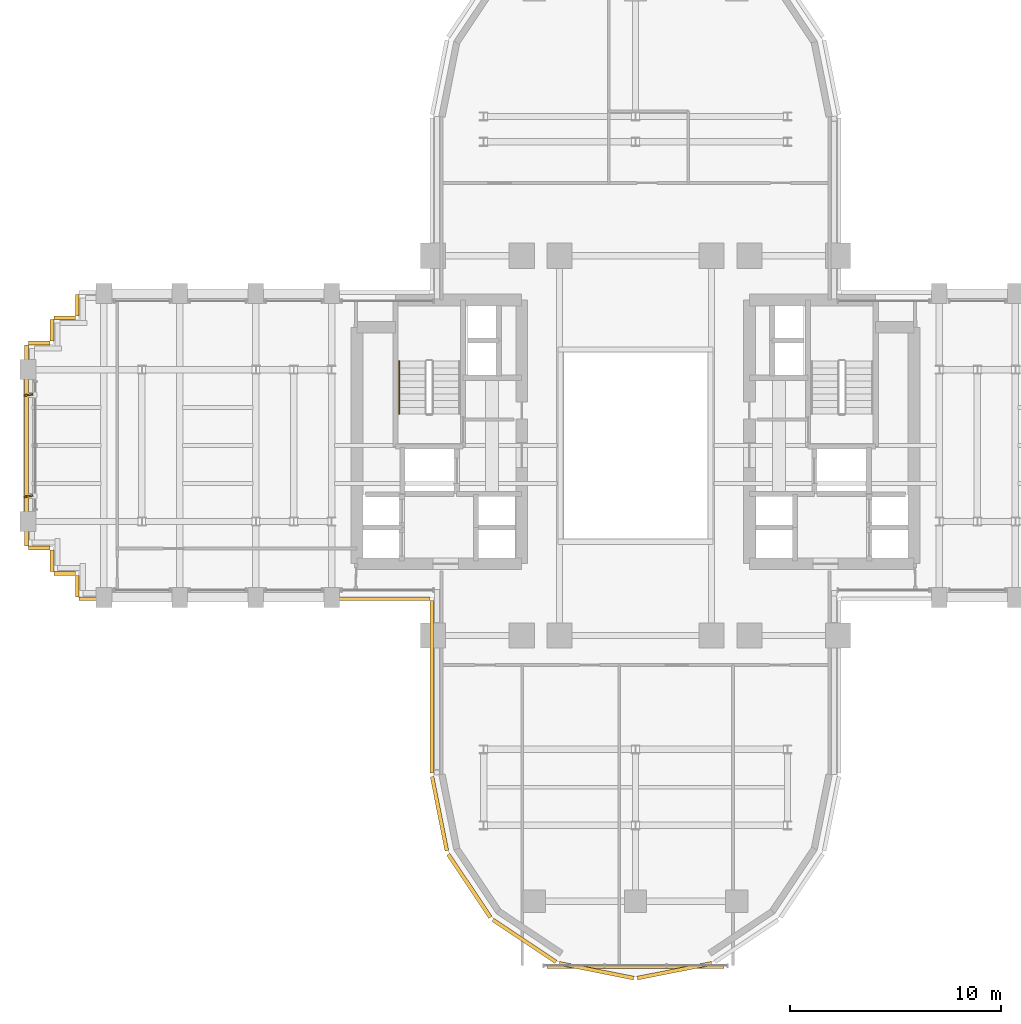
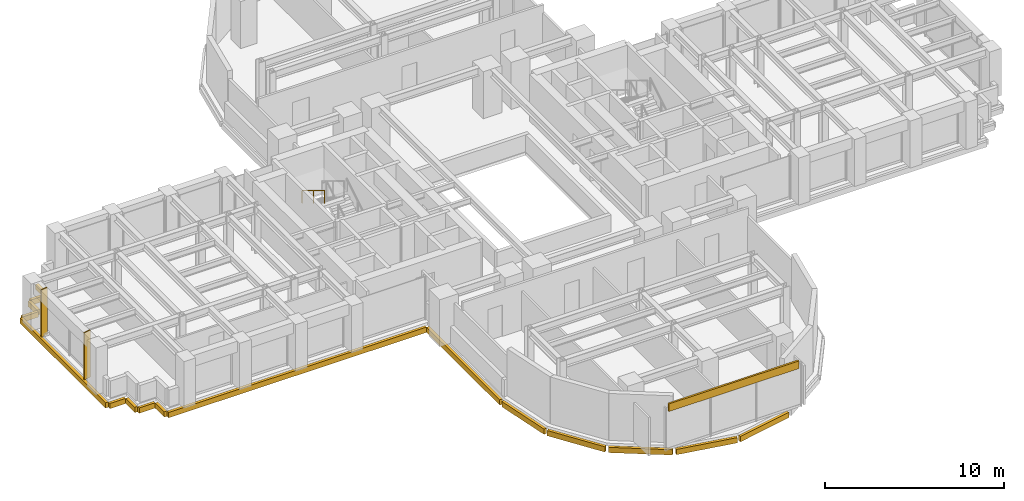
# One storey, part 13 of 16: 17 coverings, 2 shading devices, 1 railing.
"""IFC4 building model written with IfcOpenShell, lengths in metres."""

from ifc_helpers import new_model, si_unit, direction, frame, origin, origin_2d, place, context, subcontext, project, spatial, rectangle, extrude, source, transform, mapped, material, layer, layer_set, type_object, element, save


model = new_model("IFC4")

# Units and contexts
model_context = context("Model", 3, precision=1e-05, world=origin(), true_north=direction((0.0, 1.0)))
body_context = subcontext(model_context, "Body", "Model", "MODEL_VIEW")
ifc_project = project(units=[si_unit("LENGTHUNIT", "METRE"), si_unit("AREAUNIT", "SQUARE_METRE"), si_unit("VOLUMEUNIT", "CUBIC_METRE"), si_unit("PLANEANGLEUNIT", "RADIAN"), si_unit("MASSUNIT", "GRAM", prefix="KILO")], contexts=[model_context])

# Site, building, storey
site_placement = place(None, origin())
site = spatial("IfcSite", under=ifc_project, at=site_placement, CompositionType="ELEMENT")
building_placement = place(site_placement, origin())
building = spatial("IfcBuilding", under=site, at=building_placement, Name="Keilestroom Media Tower", CompositionType="ELEMENT")
storey_placement = place(building_placement, frame((0.0, 0.0, 78.199951171875)))
storey = spatial("IfcBuildingStorey", under=building, at=storey_placement, Name="L20", CompositionType="ELEMENT", Elevation=78.199951171875)

# Railing
ifc_material_1 = material(Name="Brushed Stainless Steel 1.4301", Category="steel")
railing_type = type_object("IfcRailingType", Name="Stair-Pitch-Handrail-920", PredefinedType="HANDRAIL", material=ifc_material_1)
railing_placement = place(storey_placement, frame((-11.2099609375, 3.99609375, 1.888916015625)))
element("IfcRailing", 1, at=railing_placement, inside=storey, type_object=railing_type, Name="L20 ST-1 stair handrail 2", PredefinedType="HANDRAIL", context=body_context, shape_type="SweptSolid", body=[
    extrude(rectangle(XDim=0.048095703125, YDim=0.048095703125, at=origin_2d()), frame((0.0, 0.0, 0.8759765625), z_axis=(0.0, -0.855433747314, 0.517912255074), x_axis=(1.0, 0.0, 0.0)), (0.0, 0.0, 1.0), 2.91796875),
    extrude(rectangle(XDim=0.0419921875, YDim=0.0419921875, at=origin_2d()), origin(), (0.0, 0.0, 1.0), 0.84375),
    extrude(rectangle(XDim=0.0419921875, YDim=0.0419921875, at=origin_2d()), frame((0.0, -1.248046875, 0.755615234375)), (0.0, 0.0, 1.0), 0.84375),
    extrude(rectangle(XDim=0.0419921875, YDim=0.0419921875, at=origin_2d()), frame((0.0, -2.49609375, 1.51123046875)), (0.0, 0.0, 1.0), 0.84375),
])

# Covering
ifc_material_2 = material(Name="Precast concrete C40/50", Category="concrete")
ifc_layer = layer(ifc_material_2, 0.1201171875)
ifc_layer_set = layer_set([ifc_layer], Name="Precast concrete C40/50")
covering_type = type_object("IfcCoveringType", Name="Exterior-Precast-Spandrel-Cladding-Panel-120", PredefinedType="CLADDING", material=ifc_layer_set)
shared_shape_1 = source(origin(), body_context, "Body", "SweptSolid", [
    extrude(rectangle(XDim=8.39990234375, YDim=0.1201171875, at=origin_2d()), origin(), (0.0, 0.0, 1.0), 0.52001953125),
])
covering_1_placement = place(storey_placement, frame((0.0, -24.719970703125, 2.68994140625), z_axis=(0.0, 0.0, 1.0), x_axis=(1.0, 0.0, 0.0)))
element("IfcCovering", 2, at=covering_1_placement, inside=storey, type_object=covering_type, Name="L20 Precast Spandrel Cladding S", PredefinedType="CLADDING", context=body_context, shape_type="MappedRepresentation", body=[
    mapped(shared_shape_1, transform((0.0, 0.0, 0.0), x_axis=(1.0, 0.0, 0.0), y_axis=(0.0, 1.0, 0.0), z_axis=(0.0, 0.0, 1.0), scale=1.0)),
])

# Shading devices
ifc_material_3 = material(Name="Bronze Anodised Aluminium", Category="aluminium")
shading_device_type = type_object("IfcShadingDeviceType", Name="Facade-Vertical-Sunshade-Fin-SHD-1", PredefinedType="USERDEFINED", material=ifc_material_3)
shared_shape_2 = source(origin(), body_context, "Body", "SweptSolid", [
    extrude(rectangle(XDim=0.419921875, YDim=0.080078125, at=origin_2d()), origin(), (0.0, 0.0, 1.0), 3.199951171875),
])
for number, where, z_axis, x_axis, name in (
    (3, (-28.77001953125, -2.39990234375, 0.0), (0.0, 0.0, 1.0), (0.988040736507, 0.15419307054, 0.0), "L20 Twisting Sunshade Fin SHD-1 025"),
    (4, (-28.77001953125, 2.39990234375, 0.0), (0.0, 0.0, 1.0), (0.988040736507, 0.15419307054, 0.0), "L20 Twisting Sunshade Fin SHD-1 026"),
):
    element("IfcShadingDevice", number, at=place(storey_placement, frame(where, z_axis=z_axis, x_axis=x_axis)), inside=storey, type_object=shading_device_type, Name=name, ObjectType="SUNSHADE", PredefinedType="USERDEFINED", context=body_context, shape_type="MappedRepresentation", body=[
        mapped(shared_shape_2, transform((0.0, 0.0, 0.0), x_axis=(1.0, 0.0, 0.0), y_axis=(0.0, 1.0, 0.0), z_axis=(0.0, 0.0, 1.0), scale=1.0)),
    ])

# Coverings
shared_shape_3 = source(origin(), body_context, "Body", "SweptSolid", [
    extrude(rectangle(XDim=1.02001953125, YDim=0.179931640625, at=origin_2d()), origin(), (0.0, 0.0, 1.0), 0.360107421875),
])
for number, where, z_axis, x_axis, name in (
    (5, (-26.4599609375, -6.659912109375, -0.5400390625), (0.0, 0.0, 1.0), (0.0, 1.0, 0.0), "L20 Precast Slab-Edge Fascia Cornice 17"),
    (6, (-27.06005859375, -6.06005859375, -0.5400390625), (0.0, 0.0, 1.0), (-1.0, 0.0, 0.0), "L20 Precast Slab-Edge Fascia Cornice 18"),
    (7, (-27.659912109375, -5.4599609375, -0.5400390625), (0.0, 0.0, 1.0), (0.0, 1.0, 0.0), "L20 Precast Slab-Edge Fascia Cornice 19"),
    (8, (-28.260009765625, -4.860107421875, -0.5400390625), (0.0, 0.0, 1.0), (-1.0, 0.0, 0.0), "L20 Precast Slab-Edge Fascia Cornice 20"),
    (9, (-28.260009765625, 4.860107421875, -0.5400390625), (0.0, 0.0, 1.0), (1.0, 0.0, 0.0), "L20 Precast Slab-Edge Fascia Cornice 22"),
    (10, (-27.659912109375, 5.4599609375, -0.5400390625), (0.0, 0.0, 1.0), (0.0, 1.0, 0.0), "L20 Precast Slab-Edge Fascia Cornice 23"),
    (11, (-27.06005859375, 6.06005859375, -0.5400390625), (0.0, 0.0, 1.0), (1.0, 0.0, 0.0), "L20 Precast Slab-Edge Fascia Cornice 24"),
    (12, (-26.4599609375, 6.659912109375, -0.5400390625), (0.0, 0.0, 1.0), (0.0, 1.0, 0.0), "L20 Precast Slab-Edge Fascia Cornice 25"),
):
    element("IfcCovering", number, at=place(storey_placement, frame(where, z_axis=z_axis, x_axis=x_axis)), inside=storey, type_object=covering_type, Name=name, PredefinedType="CLADDING", context=body_context, shape_type="MappedRepresentation", body=[
        mapped(shared_shape_3, transform((0.0, 0.0, 0.0), x_axis=(1.0, 0.0, 0.0), y_axis=(0.0, 1.0, 0.0), z_axis=(0.0, 0.0, 1.0), scale=1.0)),
    ])
shared_shape_4 = source(origin(), body_context, "Body", "SweptSolid", [
    extrude(rectangle(XDim=16.6201171875, YDim=0.179931640625, at=origin_2d()), origin(), (0.0, 0.0, 1.0), 0.360107421875),
])
covering_2_placement = place(storey_placement, frame((-18.06005859375, -7.260009765625, -0.5400390625), z_axis=(0.0, 0.0, 1.0), x_axis=(-1.0, 0.0, 0.0)))
element("IfcCovering", 13, at=covering_2_placement, inside=storey, type_object=covering_type, Name="L20 Precast Slab-Edge Fascia Cornice 16", PredefinedType="CLADDING", context=body_context, shape_type="MappedRepresentation", body=[
    mapped(shared_shape_4, transform((0.0, 0.0, 0.0), x_axis=(1.0, 0.0, 0.0), y_axis=(0.0, 1.0, 0.0), z_axis=(0.0, 0.0, 1.0), scale=1.0)),
])
shared_shape_5 = source(origin(), body_context, "Body", "SweptSolid", [
    extrude(rectangle(XDim=8.166015625, YDim=0.179931640625, at=origin_2d()), origin(), (0.0, 0.0, 1.0), 0.360107421875),
])
covering_3_placement = place(storey_placement, frame((-9.659912109375, -11.43310546875, -0.5400390625), z_axis=(0.0, 0.0, 1.0), x_axis=(0.0, 1.0, 0.0)))
element("IfcCovering", 14, at=covering_3_placement, inside=storey, type_object=covering_type, Name="L20 Precast Slab-Edge Fascia Cornice 15", PredefinedType="CLADDING", context=body_context, shape_type="MappedRepresentation", body=[
    mapped(shared_shape_5, transform((0.0, 0.0, 0.0), x_axis=(1.0, 0.0, 0.0), y_axis=(0.0, 1.0, 0.0), z_axis=(0.0, 0.0, 1.0), scale=1.0)),
])
shared_shape_6 = source(origin(), body_context, "Body", "SweptSolid", [
    extrude(rectangle(XDim=3.58349609375, YDim=0.179931640625, at=origin_2d()), origin(), (0.0, 0.0, 1.0), 0.360107421875),
])
covering_4_placement = place(storey_placement, frame((-9.29296875, -17.45166015625, -0.5400390625), z_axis=(0.0, 0.0, 1.0), x_axis=(-0.195098880975, 0.980783577882, 0.0)))
element("IfcCovering", 15, at=covering_4_placement, inside=storey, type_object=covering_type, Name="L20 Precast Slab-Edge Fascia Cornice 14", PredefinedType="CLADDING", context=body_context, shape_type="MappedRepresentation", body=[
    mapped(shared_shape_6, transform((0.0, 0.0, 0.0), x_axis=(1.0, 0.0, 0.0), y_axis=(0.0, 1.0, 0.0), z_axis=(0.0, 0.0, 1.0), scale=1.0)),
])
shared_shape_7 = source(origin(), body_context, "Body", "SweptSolid", [
    extrude(rectangle(XDim=3.589599609375, YDim=0.179931640625, at=origin_2d()), origin(), (0.0, 0.0, 1.0), 0.360107421875),
])
for number, where, z_axis, x_axis, name in (
    (16, (1.8486328125, -24.893310546875, -0.5400390625), (0.0, 0.0, 1.0), (-0.980783577882, -0.195098880975, 0.0), "L20 Precast Slab-Edge Fascia Cornice 10"),
    (17, (-1.8486328125, -24.893310546875, -0.5400390625), (0.0, 0.0, 1.0), (-0.980783577882, 0.195098880975, 0.0), "L20 Precast Slab-Edge Fascia Cornice 11"),
    (18, (-5.264404296875, -23.478515625, -0.5400390625), (0.0, 0.0, 1.0), (-0.831466703332, 0.555574586577, 0.0), "L20 Precast Slab-Edge Fascia Cornice 12"),
    (19, (-7.878662109375, -20.8642578125, -0.5400390625), (0.0, 0.0, 1.0), (-0.555574586577, 0.831466703332, 0.0), "L20 Precast Slab-Edge Fascia Cornice 13"),
):
    element("IfcCovering", number, at=place(storey_placement, frame(where, z_axis=z_axis, x_axis=x_axis)), inside=storey, type_object=covering_type, Name=name, PredefinedType="CLADDING", context=body_context, shape_type="MappedRepresentation", body=[
        mapped(shared_shape_7, transform((0.0, 0.0, 0.0), x_axis=(1.0, 0.0, 0.0), y_axis=(0.0, 1.0, 0.0), z_axis=(0.0, 0.0, 1.0), scale=1.0)),
    ])
shared_shape_8 = source(origin(), body_context, "Body", "SweptSolid", [
    extrude(rectangle(XDim=9.5400390625, YDim=0.179931640625, at=origin_2d()), origin(), (0.0, 0.0, 1.0), 0.360107421875),
])
covering_5_placement = place(storey_placement, frame((-28.860107421875, 0.0, -0.5400390625), z_axis=(0.0, 0.0, 1.0), x_axis=(0.0, 1.0, 0.0)))
element("IfcCovering", 20, at=covering_5_placement, inside=storey, type_object=covering_type, Name="L20 Precast Slab-Edge Fascia Cornice 21", PredefinedType="CLADDING", context=body_context, shape_type="MappedRepresentation", body=[
    mapped(shared_shape_8, transform((0.0, 0.0, 0.0), x_axis=(1.0, 0.0, 0.0), y_axis=(0.0, 1.0, 0.0), z_axis=(0.0, 0.0, 1.0), scale=1.0)),
])

save(model, "model.ifc")
